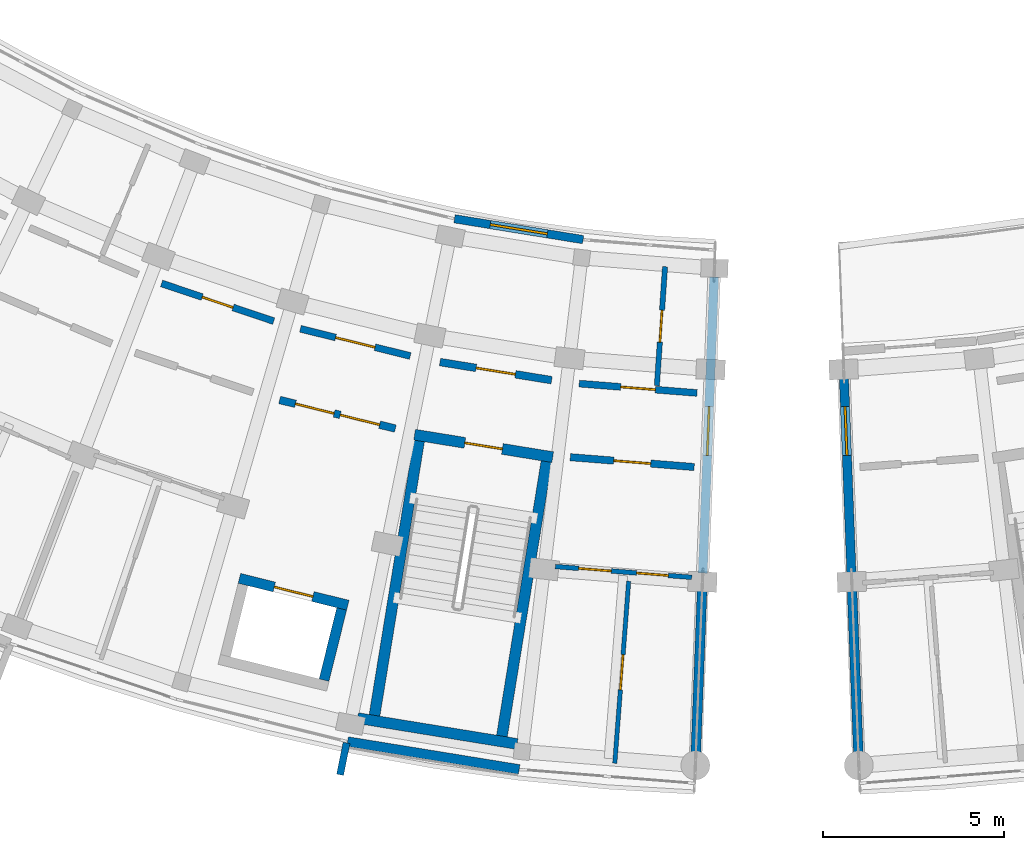
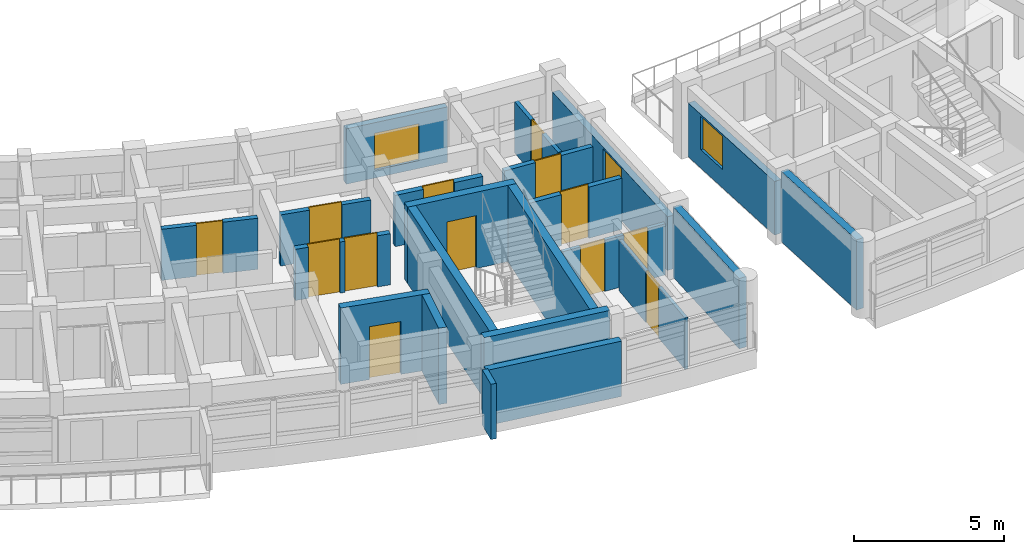
# One storey, part 34 of 54: 22 walls, 13 doors, 3 windows, 16 openings.
"""IFC4 building model written with IfcOpenShell, lengths in metres."""

from ifc_helpers import new_model, si_unit, direction, frame, frame_2d, origin, place, context, subcontext, project, spatial, rectangle, extrude, material, layer, layer_set, type_object, element, fill, save


model = new_model("IFC4")

# Units and contexts
model_context = context("Model", 3, precision=1e-05, world=origin(), true_north=direction((0.0, 1.0)))
body_context = subcontext(model_context, "Body", "Model", "MODEL_VIEW")
ifc_project = project(units=[si_unit("LENGTHUNIT", "METRE"), si_unit("AREAUNIT", "SQUARE_METRE"), si_unit("VOLUMEUNIT", "CUBIC_METRE"), si_unit("PLANEANGLEUNIT", "RADIAN"), si_unit("MASSUNIT", "GRAM", prefix="KILO")], contexts=[model_context])

# Site, building, storey
site_placement = place(None, origin())
site = spatial("IfcSite", under=ifc_project, at=site_placement, CompositionType="ELEMENT")
building_placement = place(site_placement, origin())
building = spatial("IfcBuilding", under=site, at=building_placement, Name="Zimvara Arc Housing Community", CompositionType="ELEMENT")
storey_placement = place(building_placement, frame((0.0, 0.0, 20.5)))
storey = spatial("IfcBuildingStorey", under=building, at=storey_placement, Name="L06", CompositionType="ELEMENT", Elevation=20.5)

# Wall, opening, window
ifc_material_1 = material(Name="Board-Marked Fair-Faced Concrete C35/45", Category="concrete")
ifc_layer_1 = layer(ifc_material_1, 0.22998046875)
ifc_layer_set_1 = layer_set([ifc_layer_1], Name="Board-Marked Fair-Faced Concrete C35/45")
wall_type_1 = type_object("IfcWallType", Name="EWL-CONC-230", PredefinedType="SOLIDWALL", material=ifc_layer_set_1)
wall_1_placement = place(storey_placement, frame((117.05810546875, 66.141845703125, 0.0), z_axis=(0.0, 0.0, 1.0), x_axis=(0.987080874485, -0.160222804952, 0.0)))
wall_1 = element("IfcWall", 1, at=wall_1_placement, inside=storey, type_object=wall_type_1, Name="ewall:blkC:L06:in:b8", PredefinedType="SOLIDWALL", context=body_context, shape_type="SweptSolid", body=[
    extrude(rectangle(XDim=3.603759765625, YDim=0.22998046875, at=frame_2d((1.8017578125, 0.0))), origin(), (0.0, 0.0, 1.0), 2.25),
])
opening_1_placement = place(wall_1_placement, frame((1.001708984375, 0.0, 0.320068359375)))
opening_1 = element("IfcOpeningElement", 2, at=opening_1_placement, cuts=wall_1, Name="Opening W03", PredefinedType="OPENING", context=body_context, shape_type="SweptSolid", body=[
    extrude(rectangle(XDim=1.60009765625, YDim=1.5, at=frame_2d((0.800048828125, 0.75))), frame((0.0, 0.125, 0.0), z_axis=(0.0, -1.0, 0.0), x_axis=(1.0, 0.0, 0.0)), (0.0, 0.0, 1.0), 0.25),
])
ifc_material_2 = material(Name="Solar Control Low-E Double Glazing", Category="glass")
window_type_1 = type_object("IfcWindowType", Name="WIN-RES-1600x1500", PartitioningType="DOUBLE_PANEL_VERTICAL", PredefinedType="WINDOW", material=ifc_material_2)
window_1_placement = place(opening_1_placement, origin())
window_1 = element("IfcWindow", 3, at=window_1_placement, inside=storey, type_object=window_type_1, Name="win:blkC:L06:in:b8", OverallHeight=1.5, OverallWidth=1.60009765625, PartitioningType="DOUBLE_PANEL_VERTICAL", PredefinedType="WINDOW", context=body_context, shape_type="SweptSolid", body=[
    extrude(rectangle(XDim=1.60009765625, YDim=1.5, at=frame_2d((0.800048828125, 0.75))), frame((0.0, 0.030029296875, 0.0), z_axis=(0.0, -1.0, 0.0), x_axis=(1.0, 0.0, 0.0)), (0.0, 0.0, 1.0), 0.06005859375),
])
fill(opening_1, window_1)

ifc_material_3 = material(Name="Board-Marked Fair-Faced Concrete C35/45", Category="concrete")
ifc_layer_2 = layer(ifc_material_3, 0.2548828125)
ifc_layer_set_2 = layer_set([ifc_layer_2], Name="Board-Marked Fair-Faced Concrete C35/45")
wall_type_2 = type_object("IfcWallType", Name="EWL-CONC-255", PredefinedType="SOLIDWALL", material=ifc_layer_set_2)
wall_2_placement = place(storey_placement, frame((124.23876953125, 64.533447265625, 0.0), z_axis=(0.0, 0.0, 1.0), x_axis=(-0.038407966241, -0.999262141847, 0.0)))
wall_2 = element("IfcWall", 4, at=wall_2_placement, inside=storey, type_object=wall_type_2, Name="ewall:blkC:L06:gN", PredefinedType="SOLIDWALL", context=body_context, shape_type="SweptSolid", body=[
    extrude(rectangle(XDim=8.199951171875, YDim=0.2548828125, at=frame_2d((4.10009765625, 0.0))), origin(), (0.0, 0.0, 1.0), 2.179931640625),
])
opening_2_placement = place(wall_2_placement, frame((3.590087890625, 0.0, 0.75)))
opening_2 = element("IfcOpeningElement", 5, at=opening_2_placement, cuts=wall_2, Name="Opening W12", PredefinedType="OPENING", context=body_context, shape_type="SweptSolid", body=[
    extrude(rectangle(XDim=1.35009765625, YDim=1.35009765625, at=frame_2d((0.675048828125, 0.675048828125))), frame((0.0, 0.137451171875, 0.0), z_axis=(0.0, -1.0, 0.0), x_axis=(1.0, 0.0, 0.0)), (0.0, 0.0, 1.0), 0.27490234375),
])
ifc_material_4 = material(Name="Solar Control Low-E Double Glazing", Category="glass")
window_type_2 = type_object("IfcWindowType", Name="WIN-RES-1350x1350", PartitioningType="DOUBLE_PANEL_VERTICAL", PredefinedType="WINDOW", material=ifc_material_4)
window_2_placement = place(opening_2_placement, origin())
window_2 = element("IfcWindow", 6, at=window_2_placement, inside=storey, type_object=window_type_2, Name="win:blkC:L06:gN:w", OverallHeight=1.35009765625, OverallWidth=1.35009765625, PartitioningType="DOUBLE_PANEL_VERTICAL", PredefinedType="WINDOW", context=body_context, shape_type="SweptSolid", body=[
    extrude(rectangle(XDim=1.35009765625, YDim=1.35009765625, at=frame_2d((0.675048828125, 0.675048828125))), frame((0.0, 0.030029296875, 0.0), z_axis=(0.0, -1.0, 0.0), x_axis=(1.0, 0.0, 0.0)), (0.0, 0.0, 1.0), 0.06005859375),
])
fill(opening_2, window_2)

wall_3_placement = place(storey_placement, frame((127.828857421875, 61.735595703125, 0.0), z_axis=(0.0, 0.0, 1.0), x_axis=(0.038384504742, -0.999263043345, 0.0)))
wall_3 = element("IfcWall", 7, at=wall_3_placement, inside=storey, type_object=wall_type_2, Name="ewall:blkD:L06:g0", PredefinedType="SOLIDWALL", context=body_context, shape_type="SweptSolid", body=[
    extrude(rectangle(XDim=5.39990234375, YDim=0.2548828125, at=frame_2d((2.699951171875, 0.0))), origin(), (0.0, 0.0, 1.0), 2.179931640625),
])
opening_3_placement = place(wall_3_placement, frame((0.7900390625, 0.0, 0.75)))
opening_3 = element("IfcOpeningElement", 8, at=opening_3_placement, cuts=wall_3, Name="Opening W12", PredefinedType="OPENING", context=body_context, shape_type="SweptSolid", body=[
    extrude(rectangle(XDim=1.35009765625, YDim=1.35009765625, at=frame_2d((0.675048828125, 0.675048828125))), frame((0.0, 0.137451171875, 0.0), z_axis=(0.0, -1.0, 0.0), x_axis=(1.0, 0.0, 0.0)), (0.0, 0.0, 1.0), 0.27490234375),
])
window_3_placement = place(opening_3_placement, origin())
window_3 = element("IfcWindow", 9, at=window_3_placement, inside=storey, type_object=window_type_2, Name="win:blkD:L06:g0:w", OverallHeight=1.35009765625, OverallWidth=1.35009765625, PartitioningType="DOUBLE_PANEL_VERTICAL", PredefinedType="WINDOW", context=body_context, shape_type="SweptSolid", body=[
    extrude(rectangle(XDim=1.35009765625, YDim=1.35009765625, at=frame_2d((0.675048828125, 0.675048828125))), frame((0.0, 0.030029296875, 0.0), z_axis=(0.0, -1.0, 0.0), x_axis=(1.0, 0.0, 0.0)), (0.0, 0.0, 1.0), 0.06005859375),
])
fill(opening_3, window_3)

# Walls
ifc_material_5 = material(Name="Board-Marked Fair-Faced Concrete C35/45", Category="concrete")
ifc_layer_3 = layer(ifc_material_5, 0.195068359375)
ifc_layer_set_3 = layer_set([ifc_layer_3], Name="Board-Marked Fair-Faced Concrete C35/45")
wall_type_3 = type_object("IfcWallType", Name="EWL-PARA-195", PredefinedType="PARAPET", material=ifc_layer_set_3)
wall_4_placement = place(storey_placement, frame((114.072509765625, 51.645263671875, 0.0), z_axis=(0.0, 0.0, 1.0), x_axis=(-0.200236425943, -0.979747607155, 0.0)))
element("IfcWall", 10, at=wall_4_placement, inside=storey, type_object=wall_type_3, Name="finwall:blkC:L06:out:b8", PredefinedType="PARAPET", context=body_context, shape_type="SweptSolid", body=[
    extrude(rectangle(XDim=0.89990234375, YDim=0.195068359375, at=frame_2d((0.449951171875, 0.0))), origin(), (0.0, 0.0, 1.0), 2.25),
])
ifc_material_6 = material(Name="Board-Marked Fair-Faced Concrete C35/45", Category="concrete")
ifc_layer_4 = layer(ifc_material_6, 0.26806640625)
ifc_layer_set_4 = layer_set([ifc_layer_4], Name="Board-Marked Fair-Faced Concrete C35/45")
wall_type_4 = type_object("IfcWallType", Name="EWL-VAR-21", PredefinedType="SOLIDWALL", material=ifc_layer_set_4)
wall_5_placement = place(storey_placement, frame((114.100341796875, 51.681396484375, 0.0), z_axis=(0.0, 0.0, 1.0), x_axis=(0.987080750493, -0.160223568819, 0.0)))
element("IfcWall", 11, at=wall_5_placement, inside=storey, type_object=wall_type_4, Name="ewall:blkC:L06:out:b8", PredefinedType="SOLIDWALL", context=body_context, shape_type="SweptSolid", body=[
    extrude(rectangle(XDim=4.808837890625, YDim=0.26806640625, at=frame_2d((2.404296875, 0.0))), origin(), (0.0, 0.0, 1.0), 2.25),
])

# Wall, openings, doors
ifc_material_7 = material(Name="Concrete C35/45", Category="concrete")
ifc_layer_5 = layer(ifc_material_7, 0.2099609375)
ifc_layer_set_5 = layer_set([ifc_layer_5], Name="Concrete C35/45")
wall_type_5 = type_object("IfcWallType", Name="IWL-CCF-210", PredefinedType="SOLIDWALL", material=ifc_layer_set_5)
wall_6_placement = place(storey_placement, frame((112.222900390625, 61.130126953125, 0.0), z_axis=(0.0, 0.0, 1.0), x_axis=(0.970719238682, -0.240216901263, 0.0)))
wall_6 = element("IfcWall", 12, at=wall_6_placement, inside=storey, type_object=wall_type_5, Name="iwall:blkC:L06:ll_div:b7", PredefinedType="SOLIDWALL", context=body_context, shape_type="SweptSolid", body=[
    extrude(rectangle(XDim=3.2958984375, YDim=0.2099609375, at=frame_2d((1.64794921875, 0.0))), origin(), (0.0, 0.0, 1.0), 2.080078125),
])
opening_4_placement = place(wall_6_placement, frame((0.449951171875, 0.0, 0.0)))
opening_4 = element("IfcOpeningElement", 13, at=opening_4_placement, cuts=wall_6, Name="Opening FD-CCF1", PredefinedType="OPENING", context=body_context, shape_type="SweptSolid", body=[
    extrude(rectangle(XDim=1.10009765625, YDim=2.14990234375, at=frame_2d((0.550048828125, 1.074951171875))), frame((0.0, 0.114990234375, 0.0), z_axis=(0.0, -1.0, 0.0), x_axis=(1.0, 0.0, 0.0)), (0.0, 0.0, 1.0), 0.22998046875),
])
opening_5_placement = place(wall_6_placement, frame((1.72607421875, 0.0, 0.0)))
opening_5 = element("IfcOpeningElement", 14, at=opening_5_placement, cuts=wall_6, Name="Opening D07", PredefinedType="OPENING", context=body_context, shape_type="SweptSolid", body=[
    extrude(rectangle(XDim=1.1201171875, YDim=2.14990234375, at=frame_2d((0.56005859375, 1.074951171875))), frame((0.0, 0.114990234375, 0.0), z_axis=(0.0, -1.0, 0.0), x_axis=(1.0, 0.0, 0.0)), (0.0, 0.0, 1.0), 0.22998046875),
])
ifc_material_8 = material(Name="Mozambican Hardwood", Category="wood")
door_type_1 = type_object("IfcDoorType", Name="IDR-AMN-1120x2150", OperationType="NOTDEFINED", PredefinedType="DOOR", material=ifc_material_8)
door_1_placement = place(opening_5_placement, origin())
door_1 = element("IfcDoor", 15, at=door_1_placement, inside=storey, type_object=door_type_1, Name="idoor:blkC:L06:rs_in:b7", OperationType="SINGLE_SWING_LEFT", OverallHeight=2.14990234375, OverallWidth=1.1201171875, PredefinedType="DOOR", context=body_context, shape_type="SweptSolid", body=[
    extrude(rectangle(XDim=1.1201171875, YDim=2.14990234375, at=frame_2d((0.56005859375, 1.074951171875))), frame((0.0, 0.02490234375, 0.0), z_axis=(0.0, -1.0, 0.0), x_axis=(1.0, 0.0, 0.0)), (0.0, 0.0, 1.0), 0.050048828125),
])
fill(opening_5, door_1)
ifc_material_9 = material(Name="Anodised Aluminium AW-6063", Category="aluminium")
door_type_2 = type_object("IfcDoorType", Name="IDR-CCF-1100x2150", OperationType="NOTDEFINED", PredefinedType="DOOR", material=ifc_material_9)
door_2_placement = place(opening_4_placement, origin())
door_2 = element("IfcDoor", 16, at=door_2_placement, inside=storey, type_object=door_type_2, Name="idoor:blkC:L06:ll_in:b7", OperationType="SINGLE_SWING_RIGHT", OverallHeight=2.14990234375, OverallWidth=1.10009765625, PredefinedType="DOOR", context=body_context, shape_type="SweptSolid", body=[
    extrude(rectangle(XDim=1.10009765625, YDim=2.14990234375, at=frame_2d((0.550048828125, 1.074951171875))), frame((0.0, 0.02490234375, 0.0), z_axis=(0.0, -1.0, 0.0), x_axis=(1.0, 0.0, 0.0)), (0.0, 0.0, 1.0), 0.050048828125),
])
fill(opening_4, door_2)

# Wall, opening, door
wall_7_placement = place(storey_placement, frame((116.655517578125, 62.178466796875, 0.0), z_axis=(0.0, 0.0, 1.0), x_axis=(0.987083140276, -0.16020884552, 0.0)))
wall_7 = element("IfcWall", 17, at=wall_7_placement, inside=storey, type_object=wall_type_5, Name="iwall:blkC:L06:ccf_div:b8", PredefinedType="SOLIDWALL", context=body_context, shape_type="SweptSolid", body=[
    extrude(rectangle(XDim=3.128662109375, YDim=0.2099609375, at=frame_2d((1.564453125, 0.0))), origin(), (0.0, 0.0, 1.0), 2.080078125),
])
opening_6_placement = place(wall_7_placement, frame((1.014404296875, 0.0, 0.0)))
opening_6 = element("IfcOpeningElement", 18, at=opening_6_placement, cuts=wall_7, Name="Opening FD-CCF1", PredefinedType="OPENING", context=body_context, shape_type="SweptSolid", body=[
    extrude(rectangle(XDim=1.10009765625, YDim=2.14990234375, at=frame_2d((0.550048828125, 1.074951171875))), frame((0.0, 0.114990234375, 0.0), z_axis=(0.0, -1.0, 0.0), x_axis=(1.0, 0.0, 0.0)), (0.0, 0.0, 1.0), 0.22998046875),
])
door_3_placement = place(opening_6_placement, origin())
door_3 = element("IfcDoor", 19, at=door_3_placement, inside=storey, type_object=door_type_2, Name="idoor:blkC:L06:ccf_in:b8", OperationType="SINGLE_SWING_LEFT", OverallHeight=2.14990234375, OverallWidth=1.10009765625, PredefinedType="DOOR", context=body_context, shape_type="SweptSolid", body=[
    extrude(rectangle(XDim=1.10009765625, YDim=2.14990234375, at=frame_2d((0.550048828125, 1.074951171875))), frame((0.0, 0.02490234375, 0.0), z_axis=(0.0, -1.0, 0.0), x_axis=(1.0, 0.0, 0.0)), (0.0, 0.0, 1.0), 0.050048828125),
])
fill(opening_6, door_3)

ifc_material_10 = material(Name="Concrete C35/45", Category="concrete")
ifc_layer_6 = layer(ifc_material_10, 0.18994140625)
ifc_layer_set_6 = layer_set([ifc_layer_6], Name="Concrete C35/45")
wall_type_6 = type_object("IfcWallType", Name="IWL-CORR-190", PredefinedType="SOLIDWALL", material=ifc_layer_set_6)
wall_8_placement = place(storey_placement, frame((108.95849609375, 64.352294921875, 0.0), z_axis=(0.0, 0.0, 1.0), x_axis=(0.94787351033, -0.318646839643, 0.0)))
wall_8 = element("IfcWall", 20, at=wall_8_placement, inside=storey, type_object=wall_type_6, Name="iwall:blkC:L06:corr_in:b6", PredefinedType="SOLIDWALL", context=body_context, shape_type="SweptSolid", body=[
    extrude(rectangle(XDim=3.2685546875, YDim=0.18994140625, at=frame_2d((1.63427734375, 0.0))), origin(), (0.0, 0.0, 1.0), 2.080078125),
])
opening_7_placement = place(wall_8_placement, frame((1.184326171875, 0.0, 0.0)))
opening_7 = element("IfcOpeningElement", 21, at=opening_7_placement, cuts=wall_8, Name="Opening D01", PredefinedType="OPENING", context=body_context, shape_type="SweptSolid", body=[
    extrude(rectangle(XDim=0.89990234375, YDim=2.10009765625, at=frame_2d((0.449951171875, 1.050048828125))), frame((0.0, 0.10498046875, 0.0), z_axis=(0.0, -1.0, 0.0), x_axis=(1.0, 0.0, 0.0)), (0.0, 0.0, 1.0), 0.2099609375),
])
ifc_material_11 = material(Name="Mozambican Hardwood", Category="wood")
door_type_3 = type_object("IfcDoorType", Name="IDR-RM-0900x2100", OperationType="NOTDEFINED", PredefinedType="DOOR", material=ifc_material_11)
door_4_placement = place(opening_7_placement, origin())
door_4 = element("IfcDoor", 22, at=door_4_placement, inside=storey, type_object=door_type_3, Name="idoor:blkC:L06:in_rm:b6", OperationType="SINGLE_SWING_RIGHT", OverallHeight=2.10009765625, OverallWidth=0.89990234375, PredefinedType="DOOR", context=body_context, shape_type="SweptSolid", body=[
    extrude(rectangle(XDim=0.89990234375, YDim=2.10009765625, at=frame_2d((0.449951171875, 1.050048828125))), frame((0.0, 0.02490234375, 0.0), z_axis=(0.0, -1.0, 0.0), x_axis=(1.0, 0.0, 0.0)), (0.0, 0.0, 1.0), 0.050048828125),
])
fill(opening_7, door_4)

wall_9_placement = place(storey_placement, frame((112.796142578125, 63.098388671875, 0.0), z_axis=(0.0, 0.0, 1.0), x_axis=(0.970708998014, -0.240258280136, 0.0)))
wall_9 = element("IfcWall", 23, at=wall_9_placement, inside=storey, type_object=wall_type_6, Name="iwall:blkC:L06:ra_div:b7", PredefinedType="SOLIDWALL", context=body_context, shape_type="SweptSolid", body=[
    extrude(rectangle(XDim=3.128662109375, YDim=0.18994140625, at=frame_2d((1.564453125, 0.0))), origin(), (0.0, 0.0, 1.0), 2.080078125),
])
opening_8_placement = place(wall_9_placement, frame((1.00439453125, 0.0, 0.0)))
opening_8 = element("IfcOpeningElement", 24, at=opening_8_placement, cuts=wall_9, Name="Opening D07", PredefinedType="OPENING", context=body_context, shape_type="SweptSolid", body=[
    extrude(rectangle(XDim=1.1201171875, YDim=2.14990234375, at=frame_2d((0.56005859375, 1.074951171875))), frame((0.0, 0.10498046875, 0.0), z_axis=(0.0, -1.0, 0.0), x_axis=(1.0, 0.0, 0.0)), (0.0, 0.0, 1.0), 0.2099609375),
])
door_5_placement = place(opening_8_placement, origin())
door_5 = element("IfcDoor", 25, at=door_5_placement, inside=storey, type_object=door_type_1, Name="idoor:blkC:L06:ra_d:b7", OperationType="SINGLE_SWING_RIGHT", OverallHeight=2.14990234375, OverallWidth=1.1201171875, PredefinedType="DOOR", context=body_context, shape_type="SweptSolid", body=[
    extrude(rectangle(XDim=1.1201171875, YDim=2.14990234375, at=frame_2d((0.56005859375, 1.074951171875))), frame((0.0, 0.02490234375, 0.0), z_axis=(0.0, -1.0, 0.0), x_axis=(1.0, 0.0, 0.0)), (0.0, 0.0, 1.0), 0.050048828125),
])
fill(opening_8, door_5)

wall_10_placement = place(storey_placement, frame((120.507080078125, 61.582275390625, 0.0), z_axis=(0.0, 0.0, 1.0), x_axis=(0.996860715473, -0.07917521043, 0.0)))
wall_10 = element("IfcWall", 26, at=wall_10_placement, inside=storey, type_object=wall_type_6, Name="iwall:blkC:L06:corr_in:b9", PredefinedType="SOLIDWALL", context=body_context, shape_type="SweptSolid", body=[
    extrude(rectangle(XDim=3.2685546875, YDim=0.18994140625, at=frame_2d((1.63427734375, 0.0))), origin(), (0.0, 0.0, 1.0), 2.080078125),
])
opening_9_placement = place(wall_10_placement, frame((1.154296875, 0.0, 0.0)))
opening_9 = element("IfcOpeningElement", 27, at=opening_9_placement, cuts=wall_10, Name="Opening D04", PredefinedType="OPENING", context=body_context, shape_type="SweptSolid", body=[
    extrude(rectangle(XDim=0.9599609375, YDim=2.10009765625, at=frame_2d((0.47998046875, 1.050048828125))), frame((0.0, 0.10498046875, 0.0), z_axis=(0.0, -1.0, 0.0), x_axis=(1.0, 0.0, 0.0)), (0.0, 0.0, 1.0), 0.2099609375),
])
ifc_material_12 = material(Name="Mozambican Hardwood", Category="wood")
door_type_4 = type_object("IfcDoorType", Name="IDR-RM-0960x2100", OperationType="NOTDEFINED", PredefinedType="DOOR", material=ifc_material_12)
door_6_placement = place(opening_9_placement, origin())
door_6 = element("IfcDoor", 28, at=door_6_placement, inside=storey, type_object=door_type_4, Name="idoor:blkC:L06:in_rm:b9", OperationType="SINGLE_SWING_LEFT", OverallHeight=2.10009765625, OverallWidth=0.9599609375, PredefinedType="DOOR", context=body_context, shape_type="SweptSolid", body=[
    extrude(rectangle(XDim=0.9599609375, YDim=2.10009765625, at=frame_2d((0.47998046875, 1.050048828125))), frame((0.0, 0.02490234375, 0.0), z_axis=(0.0, -1.0, 0.0), x_axis=(1.0, 0.0, 0.0)), (0.0, 0.0, 1.0), 0.050048828125),
])
fill(opening_9, door_6)

ifc_material_13 = material(Name="Concrete C35/45", Category="concrete")
ifc_layer_7 = layer(ifc_material_13, 0.199951171875)
ifc_layer_set_7 = layer_set([ifc_layer_7], Name="Concrete C35/45")
wall_type_7 = type_object("IfcWallType", Name="IWL-CORR-200", PredefinedType="SOLIDWALL", material=ifc_layer_set_7)
wall_11_placement = place(storey_placement, frame((120.261474609375, 59.547119140625, 0.0), z_axis=(0.0, 0.0, 1.0), x_axis=(0.996862545573, -0.079152165058, 0.0)))
wall_11 = element("IfcWall", 29, at=wall_11_placement, inside=storey, type_object=wall_type_7, Name="iwall:blkC:L06:corr_out:b9", PredefinedType="SOLIDWALL", context=body_context, shape_type="SweptSolid", body=[
    extrude(rectangle(XDim=3.43603515625, YDim=0.199951171875, at=frame_2d((1.718017578125, 0.0))), origin(), (0.0, 0.0, 1.0), 2.080078125),
])
opening_10_placement = place(wall_11_placement, frame((1.2080078125, 0.0, 0.0)))
opening_10 = element("IfcOpeningElement", 30, at=opening_10_placement, cuts=wall_11, Name="Opening FD-FL2", PredefinedType="OPENING", context=body_context, shape_type="SweptSolid", body=[
    extrude(rectangle(XDim=1.02001953125, YDim=2.14990234375, at=frame_2d((0.510009765625, 1.074951171875))), frame((0.0, 0.10986328125, 0.0), z_axis=(0.0, -1.0, 0.0), x_axis=(1.0, 0.0, 0.0)), (0.0, 0.0, 1.0), 0.219970703125),
])
ifc_material_14 = material(Name="Mozambican Hardwood", Category="wood")
door_type_5 = type_object("IfcDoorType", Name="IDR-FLAT-1020x2150", OperationType="NOTDEFINED", PredefinedType="DOOR", material=ifc_material_14)
door_7_placement = place(opening_10_placement, origin())
door_7 = element("IfcDoor", 31, at=door_7_placement, inside=storey, type_object=door_type_5, Name="idoor:blkC:L06:flat:b9", OperationType="SINGLE_SWING_RIGHT", OverallHeight=2.14990234375, OverallWidth=1.02001953125, PredefinedType="DOOR", context=body_context, shape_type="SweptSolid", body=[
    extrude(rectangle(XDim=1.02001953125, YDim=2.14990234375, at=frame_2d((0.510009765625, 1.074951171875))), frame((0.0, 0.02490234375, 0.0), z_axis=(0.0, -1.0, 0.0), x_axis=(1.0, 0.0, 0.0)), (0.0, 0.0, 1.0), 0.050048828125),
])
fill(opening_10, door_7)

ifc_material_15 = material(Name="Painted Acoustic Plasterboard")
ifc_layer_8 = layer(ifc_material_15, 0.1201171875)
ifc_layer_set_8 = layer_set([ifc_layer_8], Name="Painted Acoustic Plasterboard")
wall_type_8 = type_object("IfcWallType", Name="IWL-PART-120", PredefinedType="PARTITIONING", material=ifc_layer_set_8)
wall_12_placement = place(storey_placement, frame((121.87548828125, 56.116455078125, 0.0), z_axis=(0.0, 0.0, 1.0), x_axis=(-0.076141951799, -0.997096987848, 0.0)))
wall_12 = element("IfcWall", 32, at=wall_12_placement, inside=storey, type_object=wall_type_8, Name="iwall:blkC:L06:bed_div:b9", PredefinedType="PARTITIONING", context=body_context, shape_type="SweptSolid", body=[
    extrude(rectangle(XDim=5.050048828125, YDim=0.1201171875, at=frame_2d((2.52490234375, 0.0))), origin(), (0.0, 0.0, 1.0), 2.080078125),
])
opening_11_placement = place(wall_12_placement, frame((2.0400390625, 0.0, 0.0)))
opening_11 = element("IfcOpeningElement", 33, at=opening_11_placement, cuts=wall_12, Name="Opening D14", PredefinedType="OPENING", context=body_context, shape_type="SweptSolid", body=[
    extrude(rectangle(XDim=0.969970703125, YDim=2.10009765625, at=frame_2d((0.48486328125, 1.050048828125))), frame((0.0, 0.070068359375, 0.0), z_axis=(0.0, -1.0, 0.0), x_axis=(1.0, 0.0, 0.0)), (0.0, 0.0, 1.0), 0.14013671875),
])
ifc_material_16 = material(Name="Mozambican Hardwood", Category="wood")
door_type_6 = type_object("IfcDoorType", Name="IDR-MOD-970x2080", OperationType="NOTDEFINED", PredefinedType="DOOR", material=ifc_material_16)
door_8_placement = place(opening_11_placement, origin())
door_8 = element("IfcDoor", 34, at=door_8_placement, inside=storey, type_object=door_type_6, Name="idoor:blkC:L06:bed_d:b9", OperationType="SINGLE_SWING_LEFT", OverallHeight=2.10009765625, OverallWidth=0.969970703125, PredefinedType="DOOR", context=body_context, shape_type="SweptSolid", body=[
    extrude(rectangle(XDim=0.969970703125, YDim=2.10009765625, at=frame_2d((0.48486328125, 1.050048828125))), frame((0.0, 0.02490234375, 0.0), z_axis=(0.0, -1.0, 0.0), x_axis=(1.0, 0.0, 0.0)), (0.0, 0.0, 1.0), 0.050048828125),
])
fill(opening_11, door_8)

# Wall, openings, doors
ifc_material_17 = material(Name="Painted Acoustic Plasterboard")
ifc_layer_9 = layer(ifc_material_17, 0.1298828125)
ifc_layer_set_9 = layer_set([ifc_layer_9], Name="Painted Acoustic Plasterboard")
wall_type_9 = type_object("IfcWallType", Name="IWL-PART-130", PredefinedType="PARTITIONING", material=ifc_layer_set_9)
wall_13_placement = place(storey_placement, frame((119.846435546875, 56.52294921875, 0.0), z_axis=(0.0, 0.0, 1.0), x_axis=(0.996863292793, -0.079142753818, 0.0)))
wall_13 = element("IfcWall", 35, at=wall_13_placement, inside=storey, type_object=wall_type_9, Name="iwall:blkC:L06:srv:b9", PredefinedType="PARTITIONING", context=body_context, shape_type="SweptSolid", body=[
    extrude(rectangle(XDim=3.78515625, YDim=0.1298828125, at=frame_2d((1.892578125, 0.0))), origin(), (0.0, 0.0, 1.0), 2.080078125),
])
opening_12_placement = place(wall_13_placement, frame((0.64990234375, 0.0, 0.0)))
opening_12 = element("IfcOpeningElement", 36, at=opening_12_placement, cuts=wall_13, Name="Opening D01", PredefinedType="OPENING", context=body_context, shape_type="SweptSolid", body=[
    extrude(rectangle(XDim=0.89990234375, YDim=2.10009765625, at=frame_2d((0.449951171875, 1.050048828125))), frame((0.0, 0.074951171875, 0.0), z_axis=(0.0, -1.0, 0.0), x_axis=(1.0, 0.0, 0.0)), (0.0, 0.0, 1.0), 0.14990234375),
])
opening_13_placement = place(wall_13_placement, frame((2.255126953125, 0.0, 0.0)))
opening_13 = element("IfcOpeningElement", 37, at=opening_13_placement, cuts=wall_13, Name="Opening D05", PredefinedType="OPENING", context=body_context, shape_type="SweptSolid", body=[
    extrude(rectangle(XDim=0.8798828125, YDim=2.10009765625, at=frame_2d((0.43994140625, 1.050048828125))), frame((0.0, 0.074951171875, 0.0), z_axis=(0.0, -1.0, 0.0), x_axis=(1.0, 0.0, 0.0)), (0.0, 0.0, 1.0), 0.14990234375),
])
door_9_placement = place(opening_12_placement, origin())
door_9 = element("IfcDoor", 38, at=door_9_placement, inside=storey, type_object=door_type_3, Name="idoor:blkC:L06:kit_liv:b9", OperationType="SINGLE_SWING_LEFT", OverallHeight=2.10009765625, OverallWidth=0.89990234375, PredefinedType="DOOR", context=body_context, shape_type="SweptSolid", body=[
    extrude(rectangle(XDim=0.89990234375, YDim=2.10009765625, at=frame_2d((0.449951171875, 1.050048828125))), frame((0.0, 0.02490234375, 0.0), z_axis=(0.0, -1.0, 0.0), x_axis=(1.0, 0.0, 0.0)), (0.0, 0.0, 1.0), 0.050048828125),
])
fill(opening_12, door_9)
ifc_material_18 = material(Name="Mozambican Hardwood", Category="wood")
door_type_7 = type_object("IfcDoorType", Name="IDR-WC-0880x2100", OperationType="NOTDEFINED", PredefinedType="DOOR", material=ifc_material_18)
door_10_placement = place(opening_13_placement, origin())
door_10 = element("IfcDoor", 39, at=door_10_placement, inside=storey, type_object=door_type_7, Name="idoor:blkC:L06:bath_d:b9", OperationType="SINGLE_SWING_RIGHT", OverallHeight=2.10009765625, OverallWidth=0.8798828125, PredefinedType="DOOR", context=body_context, shape_type="SweptSolid", body=[
    extrude(rectangle(XDim=0.8798828125, YDim=2.10009765625, at=frame_2d((0.43994140625, 1.050048828125))), frame((0.0, 0.02490234375, 0.0), z_axis=(0.0, -1.0, 0.0), x_axis=(1.0, 0.0, 0.0)), (0.0, 0.0, 1.0), 0.050048828125),
])
fill(opening_13, door_10)

# Wall, opening, door
ifc_material_19 = material(Name="Painted Acoustic Plasterboard")
ifc_layer_10 = layer(ifc_material_19, 0.14501953125)
ifc_layer_set_10 = layer_set([ifc_layer_10], Name="Painted Acoustic Plasterboard")
wall_type_10 = type_object("IfcWallType", Name="IWL-WET-145", PredefinedType="PARTITIONING", material=ifc_layer_set_10)
wall_14_placement = place(storey_placement, frame((122.88134765625, 64.81640625, 0.0), z_axis=(0.0, 0.0, 1.0), x_axis=(-0.068581194944, -0.997645538105, 0.0)))
wall_14 = element("IfcWall", 40, at=wall_14_placement, inside=storey, type_object=wall_type_10, Name="iwall:blkC:L06:ens:b9", PredefinedType="PARTITIONING", context=body_context, shape_type="SweptSolid", body=[
    extrude(rectangle(XDim=3.300048828125, YDim=0.14501953125, at=frame_2d((1.64990234375, 0.0))), origin(), (0.0, 0.0, 1.0), 2.080078125),
])
opening_14_placement = place(wall_14_placement, frame((1.2099609375, 0.0, 0.0)))
opening_14 = element("IfcOpeningElement", 41, at=opening_14_placement, cuts=wall_14, Name="Opening D05", PredefinedType="OPENING", context=body_context, shape_type="SweptSolid", body=[
    extrude(rectangle(XDim=0.8798828125, YDim=2.10009765625, at=frame_2d((0.43994140625, 1.050048828125))), frame((0.0, 0.08251953125, 0.0), z_axis=(0.0, -1.0, 0.0), x_axis=(1.0, 0.0, 0.0)), (0.0, 0.0, 1.0), 0.1650390625),
])
door_11_placement = place(opening_14_placement, origin())
door_11 = element("IfcDoor", 42, at=door_11_placement, inside=storey, type_object=door_type_7, Name="idoor:blkC:L06:ens_d:b9", OperationType="SINGLE_SWING_RIGHT", OverallHeight=2.10009765625, OverallWidth=0.8798828125, PredefinedType="DOOR", context=body_context, shape_type="SweptSolid", body=[
    extrude(rectangle(XDim=0.8798828125, YDim=2.10009765625, at=frame_2d((0.43994140625, 1.050048828125))), frame((0.0, 0.02490234375, 0.0), z_axis=(0.0, -1.0, 0.0), x_axis=(1.0, 0.0, 0.0)), (0.0, 0.0, 1.0), 0.050048828125),
])
fill(opening_14, door_11)

ifc_material_20 = material(Name="Concrete C40/50", Category="concrete")
ifc_layer_11 = layer(ifc_material_20, 0.280029296875)
ifc_layer_set_11 = layer_set([ifc_layer_11], Name="Concrete C40/50")
wall_type_11 = type_object("IfcWallType", Name="WL-CORE-280", PredefinedType="SHEAR", material=ifc_layer_set_11)
wall_15_placement = place(storey_placement, frame((111.10791015625, 56.1962890625, 0.0), z_axis=(0.0, 0.0, 1.0), x_axis=(0.970706856107, -0.240266933861, 0.0)))
wall_15 = element("IfcWall", 43, at=wall_15_placement, inside=storey, type_object=wall_type_11, Name="lwall:LP-C2:L06:front", PredefinedType="SHEAR", context=body_context, shape_type="SweptSolid", body=[
    extrude(rectangle(XDim=3.090087890625, YDim=0.280029296875, at=frame_2d((1.544921875, 0.0))), origin(), (0.0, 0.0, 1.0), 3.10009765625),
])
opening_15_placement = place(wall_15_placement, frame((0.9951171875, 0.0, 0.0)))
opening_15 = element("IfcOpeningElement", 44, at=opening_15_placement, cuts=wall_15, Name="Opening LD-LP-C2", PredefinedType="OPENING", context=body_context, shape_type="SweptSolid", body=[
    extrude(rectangle(XDim=1.10009765625, YDim=2.14990234375, at=frame_2d((0.550048828125, 1.074951171875))), frame((0.0, 0.14990234375, 0.0), z_axis=(0.0, -1.0, 0.0), x_axis=(1.0, 0.0, 0.0)), (0.0, 0.0, 1.0), 0.300048828125),
])
ifc_material_21 = material(Name="Anodised Aluminium AW-6063", Category="aluminium")
door_type_8 = type_object("IfcDoorType", Name="IDR-LD-1100x2150", OperationType="DOUBLE_DOOR_SLIDING", PredefinedType="DOOR", material=ifc_material_21)
door_12_placement = place(opening_15_placement, origin())
door_12 = element("IfcDoor", 45, at=door_12_placement, inside=storey, type_object=door_type_8, Name="Lift LP-C2 Sliding Landing Door L06", OperationType="DOUBLE_DOOR_SLIDING", OverallHeight=2.14990234375, OverallWidth=1.10009765625, PredefinedType="DOOR", context=body_context, shape_type="SweptSolid", body=[
    extrude(rectangle(XDim=1.10009765625, YDim=2.14990234375, at=frame_2d((0.550048828125, 1.074951171875))), frame((0.0, 0.02490234375, 0.0), z_axis=(0.0, -1.0, 0.0), x_axis=(1.0, 0.0, 0.0)), (0.0, 0.0, 1.0), 0.050048828125),
])
fill(opening_15, door_12)

# Wall
wall_16_placement = place(storey_placement, frame((113.93798828125, 55.3515625, 0.0), z_axis=(0.0, 0.0, 1.0), x_axis=(-0.2402993748, -0.970698825832, 0.0)))
element("IfcWall", 46, at=wall_16_placement, inside=storey, type_object=wall_type_11, Name="lwall:LP-C2:L06:right", PredefinedType="SHEAR", context=body_context, shape_type="SweptSolid", body=[
    extrude(rectangle(XDim=2.030029296875, YDim=0.280029296875, at=frame_2d((1.01513671875, 0.0))), origin(), (0.0, 0.0, 1.0), 3.10009765625),
])

# Wall, opening, door
ifc_material_22 = material(Name="Concrete C40/50", Category="concrete")
ifc_layer_12 = layer(ifc_material_22, 0.300048828125)
ifc_layer_set_12 = layer_set([ifc_layer_12], Name="Concrete C40/50")
wall_type_12 = type_object("IfcWallType", Name="WL-CORE-300", PredefinedType="SHEAR", material=ifc_layer_set_12)
wall_17_placement = place(storey_placement, frame((115.953857421875, 60.16943359375, 0.0), z_axis=(0.0, 0.0, 1.0), x_axis=(0.987077443397, -0.160243941341, 0.0)))
wall_17 = element("IfcWall", 47, at=wall_17_placement, inside=storey, type_object=wall_type_12, Name="cwall:ST-C2:L06:near", PredefinedType="SHEAR", context=body_context, shape_type="SweptSolid", body=[
    extrude(rectangle(XDim=3.869873046875, YDim=0.300048828125, at=frame_2d((1.93505859375, 0.0))), origin(), (0.0, 0.0, 1.0), 3.10009765625),
])
opening_16_placement = place(wall_17_placement, frame((1.409912109375, 0.0, 0.0)))
opening_16 = element("IfcOpeningElement", 48, at=opening_16_placement, cuts=wall_17, Name="Opening FD-ST2", PredefinedType="OPENING", context=body_context, shape_type="SweptSolid", body=[
    extrude(rectangle(XDim=1.050048828125, YDim=2.14990234375, at=frame_2d((0.52490234375, 1.074951171875))), frame((0.0, 0.159912109375, 0.0), z_axis=(0.0, -1.0, 0.0), x_axis=(1.0, 0.0, 0.0)), (0.0, 0.0, 1.0), 0.320068359375),
])
ifc_material_23 = material(Name="Anodised Aluminium AW-6063", Category="aluminium")
door_type_9 = type_object("IfcDoorType", Name="IDR-ST-1050x2150", OperationType="NOTDEFINED", PredefinedType="DOOR", material=ifc_material_23)
door_13_placement = place(opening_16_placement, origin())
door_13 = element("IfcDoor", 49, at=door_13_placement, inside=storey, type_object=door_type_9, Name="idoor:ST-C2:L06:entry", OperationType="SINGLE_SWING_RIGHT", OverallHeight=2.14990234375, OverallWidth=1.050048828125, PredefinedType="DOOR", context=body_context, shape_type="SweptSolid", body=[
    extrude(rectangle(XDim=1.050048828125, YDim=2.14990234375, at=frame_2d((0.52490234375, 1.074951171875))), frame((0.0, 0.02490234375, 0.0), z_axis=(0.0, -1.0, 0.0), x_axis=(1.0, 0.0, 0.0)), (0.0, 0.0, 1.0), 0.050048828125),
])
fill(opening_16, door_13)

# Walls
wall_18_placement = place(storey_placement, frame((114.37744140625, 52.330810546875, 0.0), z_axis=(0.0, 0.0, 1.0), x_axis=(0.987077474317, -0.16024375088, 0.0)))
element("IfcWall", 50, at=wall_18_placement, inside=storey, type_object=wall_type_12, Name="cwall:ST-C2:L06:far", PredefinedType="SHEAR", context=body_context, shape_type="SweptSolid", body=[
    extrude(rectangle(XDim=4.47021484375, YDim=0.300048828125, at=frame_2d((2.235107421875, 0.0))), origin(), (0.0, 0.0, 1.0), 3.10009765625),
])
for number, where, z_axis, x_axis, name in (
    (51, (116.077880859375, 59.997314453125, 0.0), (0.0, 0.0, 1.0), (-0.160232517967, -0.987079297821, 0.0), "cwall:ST-C2:L06:left"),
    (52, (119.6015625, 59.42529296875, 0.0), (0.0, 0.0, 1.0), (-0.160201584773, -0.987084318706, 0.0), "cwall:ST-C2:L06:right"),
):
    element("IfcWall", number, at=place(storey_placement, frame(where, z_axis=z_axis, x_axis=x_axis)), inside=storey, type_object=wall_type_12, Name=name, PredefinedType="SHEAR", context=body_context, shape_type="SweptSolid", body=[
        extrude(rectangle(XDim=7.68994140625, YDim=0.300048828125, at=frame_2d((3.844970703125, 0.0))), origin(), (0.0, 0.0, 1.0), 3.10009765625),
    ])
ifc_material_24 = material(Name="Concrete C40/50", Category="concrete")
ifc_layer_13 = layer(ifc_material_24, 0.27001953125)
ifc_layer_set_13 = layer_set([ifc_layer_13], Name="Concrete C40/50")
wall_type_13 = type_object("IfcWallType", Name="WL-SHEAR-270", PredefinedType="SHEAR", material=ifc_layer_set_13)
for number, where, z_axis, x_axis, name in (
    (53, (123.90771484375, 55.919677734375, 0.0), (0.0, 0.0, 1.0), (-0.038381471406, -0.99926315986, 0.0), "swall:blkC:L06:east"),
    (54, (128.05224609375, 55.919677734375, 0.0), (0.0, 0.0, 1.0), (0.038381471406, -0.99926315986, 0.0), "swall:blkD:L06:west"),
):
    element("IfcWall", number, at=place(storey_placement, frame(where, z_axis=z_axis, x_axis=x_axis)), inside=storey, type_object=wall_type_13, Name=name, PredefinedType="SHEAR", context=body_context, shape_type="SweptSolid", body=[
        extrude(rectangle(XDim=4.7197265625, YDim=0.27001953125, at=frame_2d((2.35986328125, 0.0))), origin(), (0.0, 0.0, 1.0), 2.860107421875),
    ])

save(model, "model.ifc")
